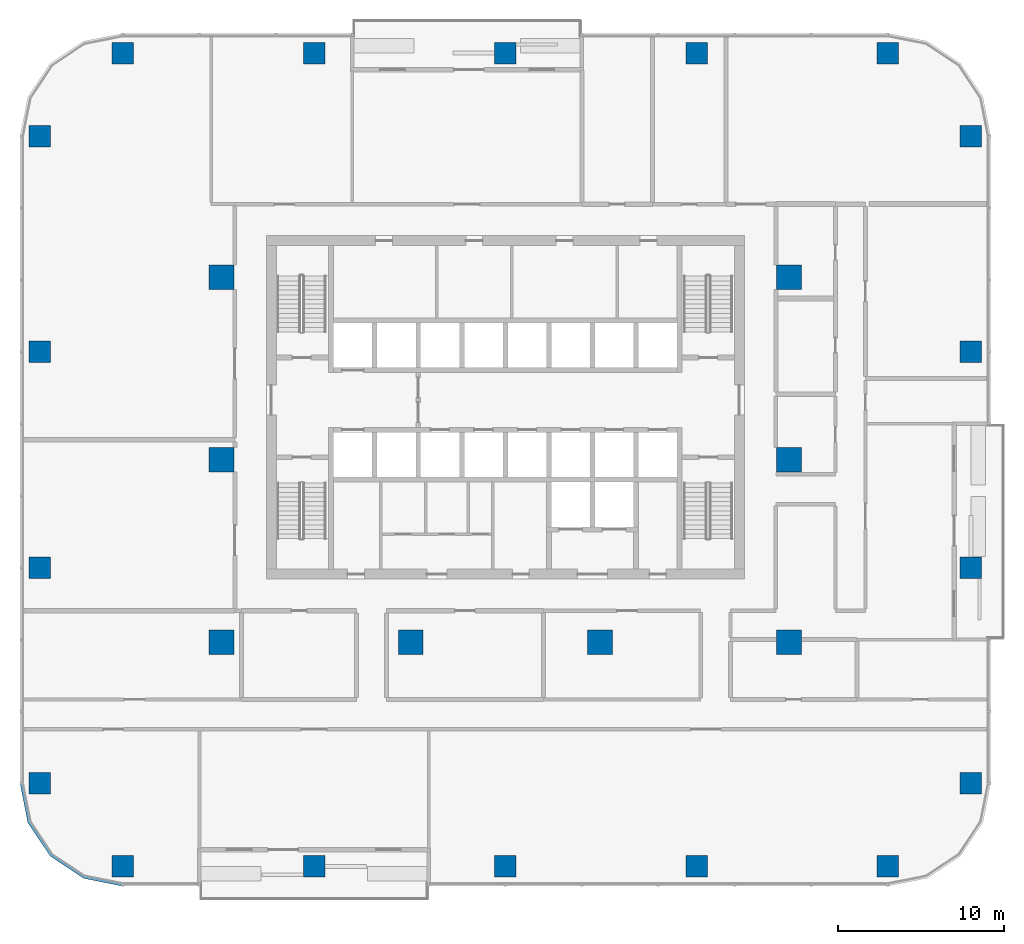
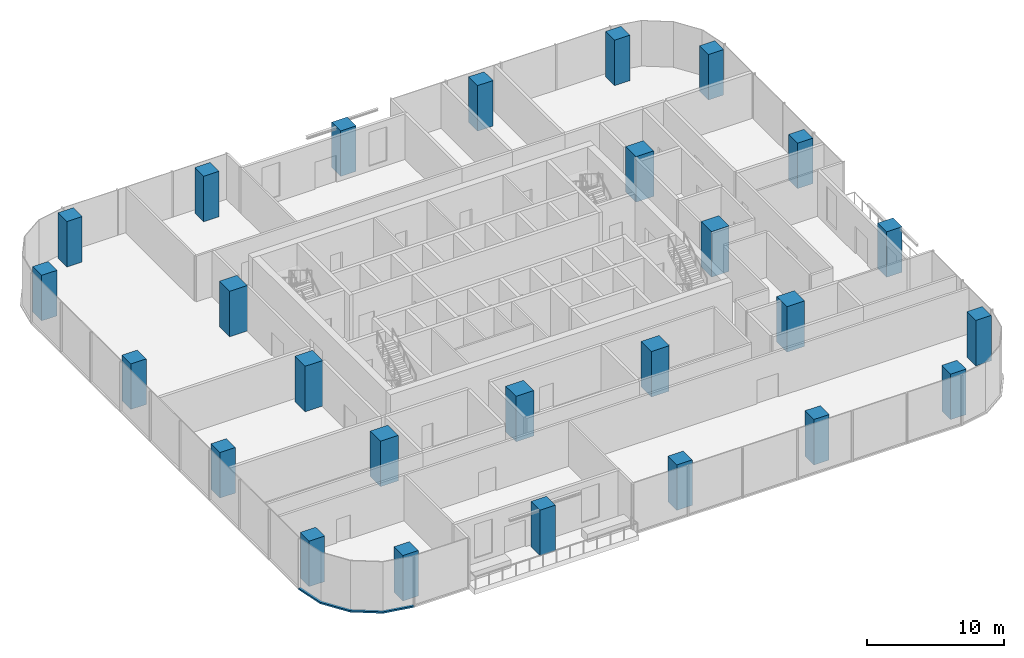
# One storey, part 1 of 14: 26 columns, 1 member, 1 element without a shape of its own.
"""IFC4 building model written with IfcOpenShell, lengths in metres."""

import ifcopenshell
import ifcopenshell.guid

model = None  # the IFC model being written
_history = None  # IfcOwnerHistory: only IFC2X3 demands one
_inside = {}  # id of a spatial element -> (the spatial element, [elements in it])
_under = {}  # id of a project, library or spatial element -> (it, [spatial elements below it])
_declared = {}  # id of a project -> (the project, [libraries it declares])
_typed = {}  # id of a type object -> (the type object, [elements of that type])
_made_of = {}  # id of a material, layer set ... -> (it, [elements and type objects made of it])


def new_model(schema):
    """Start an empty IFC model of exactly this schema.

    Asked for "IFC4X3", IfcOpenShell would pick the latest addendum, in which some entities
    have other attributes; the version numbers below select the first issue.
    IFC2X3 requires an IfcOwnerHistory on every rooted entity: one is made here for all.
    """
    global model, _history
    if schema == "IFC4X3":
        model = ifcopenshell.file(schema_version=(4, 3, 0, 0))
    else:
        model = ifcopenshell.file(schema=schema)
    _inside.clear()
    _under.clear()
    _declared.clear()
    _typed.clear()
    _made_of.clear()
    _history = None
    if model.schema == "IFC2X3":
        org = make("IfcOrganization", Name="unknown")
        user = make(
            "IfcPersonAndOrganization",
            ThePerson=make("IfcPerson", FamilyName="unknown"),
            TheOrganization=org,
        )
        app = make(
            "IfcApplication",
            ApplicationDeveloper=org,
            Version="unknown",
            ApplicationFullName="unknown",
            ApplicationIdentifier="unknown",
        )
        _history = make(
            "IfcOwnerHistory",
            OwningUser=user,
            OwningApplication=app,
            ChangeAction="ADDED",
            CreationDate=0,
        )
    return model


def make(cls, **values):
    """One entity of the class cls with the attributes given. An attribute that is None is left unset."""
    return model.create_entity(
        cls, **{name: value for name, value in values.items() if value is not None}
    )


def rooted(cls, **values):
    """An entity with a GlobalId (a new one), such as an element, a storey or a relation."""
    return make(cls, GlobalId=ifcopenshell.guid.new(), OwnerHistory=_history, **values)


def si_unit(unit_type, name, prefix=None):
    """IfcSIUnit, for example si_unit("LENGTHUNIT", "METRE", prefix="MILLI")."""
    return make("IfcSIUnit", UnitType=unit_type, Prefix=prefix, Name=name)


def assignment(units):
    """IfcUnitAssignment: the units of a project."""
    return None if units is None else make("IfcUnitAssignment", Units=units)


def point(xyz):
    """IfcCartesianPoint."""
    return None if xyz is None else make("IfcCartesianPoint", Coordinates=xyz)


def direction(xyz):
    """IfcDirection."""
    return None if xyz is None else make("IfcDirection", DirectionRatios=xyz)


def frame(location, z_axis=None, x_axis=None):
    """IfcAxis2Placement3D, a coordinate frame: its origin and axes. An axis left out is left unset."""
    return make(
        "IfcAxis2Placement3D",
        Location=point(location),
        Axis=direction(z_axis),
        RefDirection=direction(x_axis),
    )


def frame_2d(location, x_axis=None):
    """IfcAxis2Placement2D, a coordinate frame in the plane: its origin and x axis."""
    return make(
        "IfcAxis2Placement2D", Location=point(location), RefDirection=direction(x_axis)
    )


def origin():
    """The frame at (0, 0, 0) with its axes left unset."""
    return frame((0.0, 0.0, 0.0))


def origin_2d():
    """The frame at (0, 0) in the plane with its x axis left unset."""
    return frame_2d((0.0, 0.0))


def place(relative_to, where):
    """IfcLocalPlacement: puts the frame where relative to a parent placement (None: the world)."""
    return make(
        "IfcLocalPlacement", PlacementRelTo=relative_to, RelativePlacement=where
    )


def context(
    kind, dimensions, precision=None, world=None, true_north=None, identifier=None
):
    """IfcGeometricRepresentationContext, for example the 3D "Model" context."""
    return make(
        "IfcGeometricRepresentationContext",
        ContextIdentifier=identifier,
        ContextType=kind,
        CoordinateSpaceDimension=dimensions,
        Precision=precision,
        WorldCoordinateSystem=world,
        TrueNorth=true_north,
    )


def subcontext(parent, identifier, kind, view, scale=None):
    """IfcGeometricRepresentationSubContext, for example "Body" below "Model"."""
    return make(
        "IfcGeometricRepresentationSubContext",
        ContextIdentifier=identifier,
        ContextType=kind,
        ParentContext=parent,
        TargetScale=scale,
        TargetView=view,
    )


def project(units=None, contexts=None):
    """IfcProject with its units and contexts."""
    return rooted(
        "IfcProject",
        Name="project",
        RepresentationContexts=contexts,
        UnitsInContext=assignment(units),
    )


def spatial(cls, under=None, at=None, **own):
    """A site, building, storey or space (cls), placed at a placement, below another one or the project."""
    s = rooted(cls, ObjectPlacement=at, **own)
    if under is not None:
        _under.setdefault(under.id(), (under, []))[1].append(s)
    return s


def polyline(points):
    """IfcPolyline through the points."""
    return make("IfcPolyline", Points=[point(p) for p in points])


def profile(cls, at=None, kind="AREA", **sizes):
    """A parametric profile (cls). Its sizes go by their IFC names, for example OverallWidth=200.0."""
    return make(cls, ProfileType=kind, Position=at, **sizes)


def rectangle(**sizes):
    """IfcRectangleProfileDef."""
    return profile("IfcRectangleProfileDef", **sizes)


def outline(outer, holes=None, kind="AREA"):
    """IfcArbitraryClosedProfileDef: a profile drawn as a closed curve; with holes, ...WithVoids."""
    if holes is None:
        return make("IfcArbitraryClosedProfileDef", ProfileType=kind, OuterCurve=outer)
    return make(
        "IfcArbitraryProfileDefWithVoids",
        ProfileType=kind,
        OuterCurve=outer,
        InnerCurves=holes,
    )


def extrude(swept, where, along, depth):
    """IfcExtrudedAreaSolid: the profile swept, set in the frame where, extruded along a direction by depth."""
    return make(
        "IfcExtrudedAreaSolid",
        SweptArea=swept,
        Position=where,
        ExtrudedDirection=direction(along),
        Depth=depth,
    )


def shape(context_of_items, identifier, shape_type, items):
    """IfcShapeRepresentation: the items that make up one representation, for example the "Body"."""
    return make(
        "IfcShapeRepresentation",
        ContextOfItems=context_of_items,
        RepresentationIdentifier=identifier,
        RepresentationType=shape_type,
        Items=items,
    )


def material(Name=None, Category=None):
    """IfcMaterial."""
    return make("IfcMaterial", Name=Name, Category=Category)


def material_profile(
    of_material, cross_section, Name=None, Category=None, Priority=None
):
    """IfcMaterialProfile: a cross section and its material."""
    return make(
        "IfcMaterialProfile",
        Name=Name,
        Material=of_material,
        Profile=cross_section,
        Priority=Priority,
        Category=Category,
    )


def profile_set(profiles, Name=None, composite=None):
    """IfcMaterialProfileSet."""
    return make(
        "IfcMaterialProfileSet",
        Name=Name,
        MaterialProfiles=profiles,
        CompositeProfile=composite,
    )


def made_of(thing, what):
    """Note that an element or type object is made of a material, layer set ...; save() writes the relation."""
    if what is not None:
        _made_of.setdefault(what.id(), (what, []))[1].append(thing)
    return thing


def type_object(cls, material=None, **own):
    """A type object (cls), such as IfcWallType, which elements share."""
    return made_of(rooted(cls, **own), material)


def element(
    cls,
    number,
    at=None,
    inside=None,
    cuts=None,
    type_object=None,
    material=None,
    context=None,
    identifier="Body",
    shape_type=None,
    held_by="IfcProductDefinitionShape",
    body=None,
    shapes=None,
    **own,
):
    """One element of the class cls, such as IfcWall. Its Tag is "e" and its number.

    at: its placement. inside: the storey or other place that contains it. cuts: it is an
    opening in that element (IfcRelVoidsElement). A single representation is given by context,
    identifier, shape_type and body (its items); several are given by shapes. held_by: the class
    of the entity that holds the representations. save() writes the other relations.
    """
    e = rooted(cls, Tag="e%d" % number, ObjectPlacement=at, **own)
    if body is not None:
        shapes = [shape(context, identifier, shape_type, body)]
    if shapes is not None:
        e.Representation = make(held_by, Representations=shapes)
    if inside is not None:
        _inside.setdefault(inside.id(), (inside, []))[1].append(e)
    if cuts is not None:
        rooted(
            "IfcRelVoidsElement", RelatingBuildingElement=cuts, RelatedOpeningElement=e
        )
    if type_object is not None:
        _typed.setdefault(type_object.id(), (type_object, []))[1].append(e)
    return made_of(e, material)


def aggregate(whole, parts):
    """IfcRelAggregates: a whole, such as a stair, and the parts it consists of."""
    return rooted("IfcRelAggregates", RelatingObject=whole, RelatedObjects=parts)


def save(model, path):
    """Write the relations noted so far, then the file.

    IfcRelAggregates (storeys below a building ...), IfcRelContainedInSpatialStructure (elements
    in a storey), IfcRelDefinesByType, IfcRelAssociatesMaterial and IfcRelDeclares: one each for
    every whole, place, type object, material and project.
    """
    for whole, parts in _under.values():
        aggregate(whole, parts)
    for where, things in _inside.values():
        rooted(
            "IfcRelContainedInSpatialStructure",
            RelatedElements=things,
            RelatingStructure=where,
        )
    for kind, things in _typed.values():
        rooted("IfcRelDefinesByType", RelatedObjects=things, RelatingType=kind)
    for what, things in _made_of.values():
        rooted("IfcRelAssociatesMaterial", RelatedObjects=things, RelatingMaterial=what)
    for by, libraries in _declared.values():
        rooted("IfcRelDeclares", RelatingContext=by, RelatedDefinitions=libraries)
    model.write(path)


model = new_model("IFC4")

# Units and contexts
model_context = context("Model", 3, precision=1e-05, world=origin(), true_north=direction((0.0, 1.0)))
body_context = subcontext(model_context, "Body", "Model", "MODEL_VIEW")
ifc_project = project(units=[si_unit("LENGTHUNIT", "METRE"), si_unit("AREAUNIT", "SQUARE_METRE"), si_unit("VOLUMEUNIT", "CUBIC_METRE"), si_unit("PLANEANGLEUNIT", "RADIAN"), si_unit("MASSUNIT", "GRAM", prefix="KILO")], contexts=[model_context])

# Site, building, storey
site_placement = place(None, origin())
site = spatial("IfcSite", under=ifc_project, at=site_placement, CompositionType="ELEMENT")
building_placement = place(site_placement, origin())
building = spatial("IfcBuilding", under=site, at=building_placement, Name="Mopane Tessera Tower", CompositionType="ELEMENT")
storey_placement = place(building_placement, frame((0.0, 0.0, 126.10009765625)))
storey = spatial("IfcBuildingStorey", under=building, at=storey_placement, Name="L25", CompositionType="ELEMENT", Elevation=126.10009765625)

# Columns
ifc_material_1 = material(Name="Concrete C60/75", Category="concrete")
ifc_material_profile_1 = material_profile(ifc_material_1, rectangle(XDim=1.5, YDim=1.5, at=origin_2d()))
ifc_profile_set_1 = profile_set([ifc_material_profile_1], Name="Concrete C60/75")
column_type_1 = type_object("IfcColumnType", Name="Interior column 1500 x 1500 C60/75", PredefinedType="COLUMN", material=ifc_profile_set_1)
for number, where, z_axis, x_axis, name in (
    (1, (-17.10009765625, -11.0, 0.0), (0.0, 0.0, 1.0), (1.0, 0.0, 0.0), "Interior column I1A L25"),
    (2, (-17.10009765625, 0.0, 0.0), (0.0, 0.0, 1.0), (1.0, 0.0, 0.0), "Interior column I1B L25"),
    (3, (-17.10009765625, 11.0, 0.0), (0.0, 0.0, 1.0), (1.0, 0.0, 0.0), "Interior column I1C L25"),
    (4, (-5.699951171875, -11.0, 0.0), (0.0, 0.0, 1.0), (1.0, 0.0, 0.0), "Interior column I2A L25"),
    (5, (5.699951171875, -11.0, 0.0), (0.0, 0.0, 1.0), (1.0, 0.0, 0.0), "Interior column I3A L25"),
    (6, (17.10009765625, -11.0, 0.0), (0.0, 0.0, 1.0), (1.0, 0.0, 0.0), "Interior column I4A L25"),
    (7, (17.10009765625, 0.0, 0.0), (0.0, 0.0, 1.0), (1.0, 0.0, 0.0), "Interior column I4B L25"),
    (8, (17.10009765625, 11.0, 0.0), (0.0, 0.0, 1.0), (1.0, 0.0, 0.0), "Interior column I4C L25"),
):
    element("IfcColumn", number, at=place(storey_placement, frame(where, z_axis=z_axis, x_axis=x_axis)), inside=storey, type_object=column_type_1, Name=name, PredefinedType="COLUMN", context=body_context, shape_type="SweptSolid", body=[
        extrude(rectangle(XDim=1.5, YDim=1.5, at=origin_2d()), origin(), (0.0, 0.0, 1.0), 4.0498046875),
    ])
ifc_material_2 = material(Name="Concrete C60/75", Category="concrete")
ifc_material_profile_2 = material_profile(ifc_material_2, rectangle(XDim=1.300048828125, YDim=1.300048828125, at=origin_2d()))
ifc_profile_set_2 = profile_set([ifc_material_profile_2], Name="Concrete C60/75")
column_type_2 = type_object("IfcColumnType", Name="Ring column 1300 x 1300 C60/75", PredefinedType="COLUMN", material=ifc_profile_set_2)
for number, where, z_axis, x_axis, name in (
    (9, (-23.050048828125, -24.5, 0.0), (0.0, 0.0, 1.0), (1.0, 0.0, 0.0), "Ring column S0 L25"),
    (10, (-11.52490234375, -24.5, 0.0), (0.0, 0.0, 1.0), (1.0, 0.0, 0.0), "Ring column S1 L25"),
    (11, (0.0, -24.5, 0.0), (0.0, 0.0, 1.0), (1.0, 0.0, 0.0), "Ring column S2 L25"),
    (12, (11.52490234375, -24.5, 0.0), (0.0, 0.0, 1.0), (1.0, 0.0, 0.0), "Ring column S3 L25"),
    (13, (23.050048828125, -24.5, 0.0), (0.0, 0.0, 1.0), (1.0, 0.0, 0.0), "Ring column S4 L25"),
    (14, (28.050048828125, -19.5, 0.0), (0.0, 0.0, 1.0), (1.0, 0.0, 0.0), "Ring column E0 L25"),
    (15, (28.050048828125, -6.5, 0.0), (0.0, 0.0, 1.0), (1.0, 0.0, 0.0), "Ring column E1 L25"),
    (16, (28.050048828125, 6.5, 0.0), (0.0, 0.0, 1.0), (1.0, 0.0, 0.0), "Ring column E2 L25"),
    (17, (28.050048828125, 19.5, 0.0), (0.0, 0.0, 1.0), (1.0, 0.0, 0.0), "Ring column E3 L25"),
    (18, (23.050048828125, 24.5, 0.0), (0.0, 0.0, 1.0), (1.0, 0.0, 0.0), "Ring column N0 L25"),
    (19, (11.52490234375, 24.5, 0.0), (0.0, 0.0, 1.0), (1.0, 0.0, 0.0), "Ring column N1 L25"),
    (20, (0.0, 24.5, 0.0), (0.0, 0.0, 1.0), (1.0, 0.0, 0.0), "Ring column N2 L25"),
    (21, (-11.52490234375, 24.5, 0.0), (0.0, 0.0, 1.0), (1.0, 0.0, 0.0), "Ring column N3 L25"),
    (22, (-23.050048828125, 24.5, 0.0), (0.0, 0.0, 1.0), (1.0, 0.0, 0.0), "Ring column N4 L25"),
    (23, (-28.050048828125, 19.5, 0.0), (0.0, 0.0, 1.0), (1.0, 0.0, 0.0), "Ring column W0 L25"),
    (24, (-28.050048828125, 6.5, 0.0), (0.0, 0.0, 1.0), (1.0, 0.0, 0.0), "Ring column W1 L25"),
    (25, (-28.050048828125, -6.5, 0.0), (0.0, 0.0, 1.0), (1.0, 0.0, 0.0), "Ring column W2 L25"),
    (26, (-28.050048828125, -19.5, 0.0), (0.0, 0.0, 1.0), (1.0, 0.0, 0.0), "Ring column W3 L25"),
):
    element("IfcColumn", number, at=place(storey_placement, frame(where, z_axis=z_axis, x_axis=x_axis)), inside=storey, type_object=column_type_2, Name=name, PredefinedType="COLUMN", context=body_context, shape_type="SweptSolid", body=[
        extrude(rectangle(XDim=1.300048828125, YDim=1.300048828125, at=origin_2d()), origin(), (0.0, 0.0, 1.0), 4.0498046875),
    ])

# Curtain wall, member
ifc_material_3 = material(Name="Aluminium frame", Category="aluminium")
curtain_wall_type = type_object("IfcCurtainWallType", Name="Lower tower unitised wall", PredefinedType="NOTDEFINED", material=ifc_material_3)
curtain_wall_placement = place(storey_placement, origin())
curtain_wall = element("IfcCurtainWall", 27, at=curtain_wall_placement, inside=storey, type_object=curtain_wall_type, Name="e:cw:L25:CW", PredefinedType="NOTDEFINED")
ifc_material_4 = material(Name="Aluminium frame", Category="aluminium")
ifc_material_profile_3 = material_profile(ifc_material_4, rectangle(XDim=0.199951171875, YDim=0.139892578125, at=origin_2d()))
ifc_profile_set_3 = profile_set([ifc_material_profile_3], Name="Aluminium frame")
member_type = type_object("IfcMemberType", Name="Aluminium transom 200 x 140", PredefinedType="USERDEFINED", material=ifc_profile_set_3)
member_placement = place(storey_placement, frame((0.0, 0.0, -0.4501953125)))
member = element("IfcMember", 28, at=member_placement, type_object=member_type, Name="e:cw:L25:CW:tr", ObjectType="TRANSOM", PredefinedType="USERDEFINED", context=body_context, shape_type="SweptSolid", body=[
    extrude(outline(polyline([(-29.050048828125, -19.5), (-28.59326171875, -21.796142578125), (-27.292724609375, -23.74267578125), (-25.34619140625, -25.043212890625), (-23.050048828125, -25.5), (-23.050048828125, -25.699951171875), (-25.422607421875, -25.22802734375), (-27.43408203125, -23.884033203125), (-28.778076171875, -21.87255859375), (-29.25, -19.5), (-29.050048828125, -19.5)])), origin(), (0.0, 0.0, 1.0), 0.14013671875),
])
aggregate(curtain_wall, [member])

save(model, "model.ifc")
